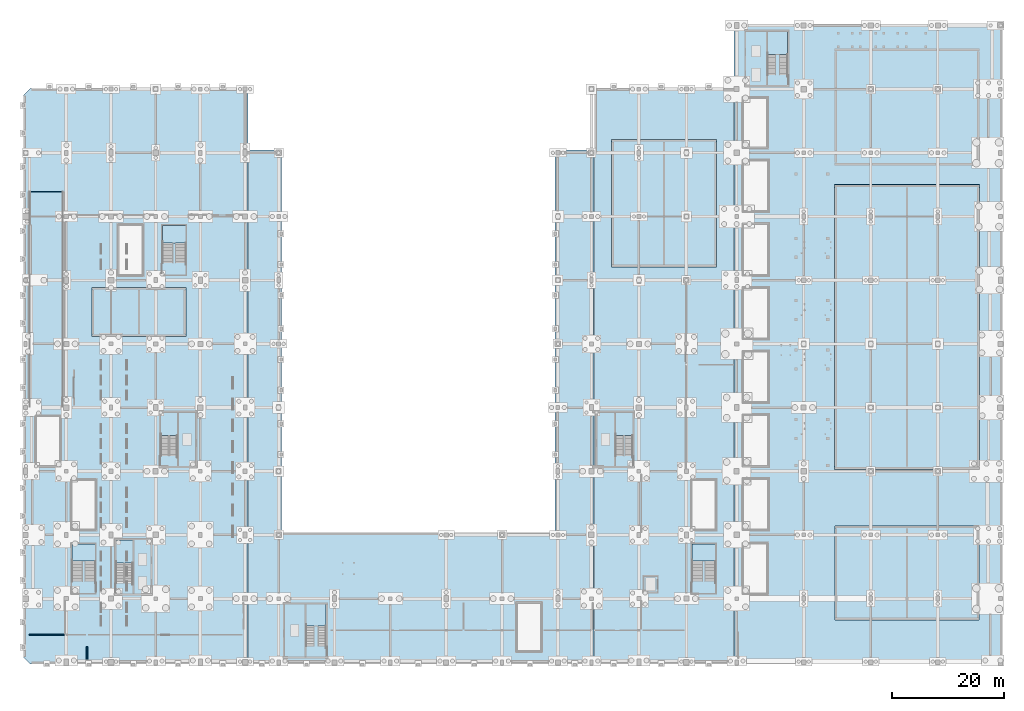
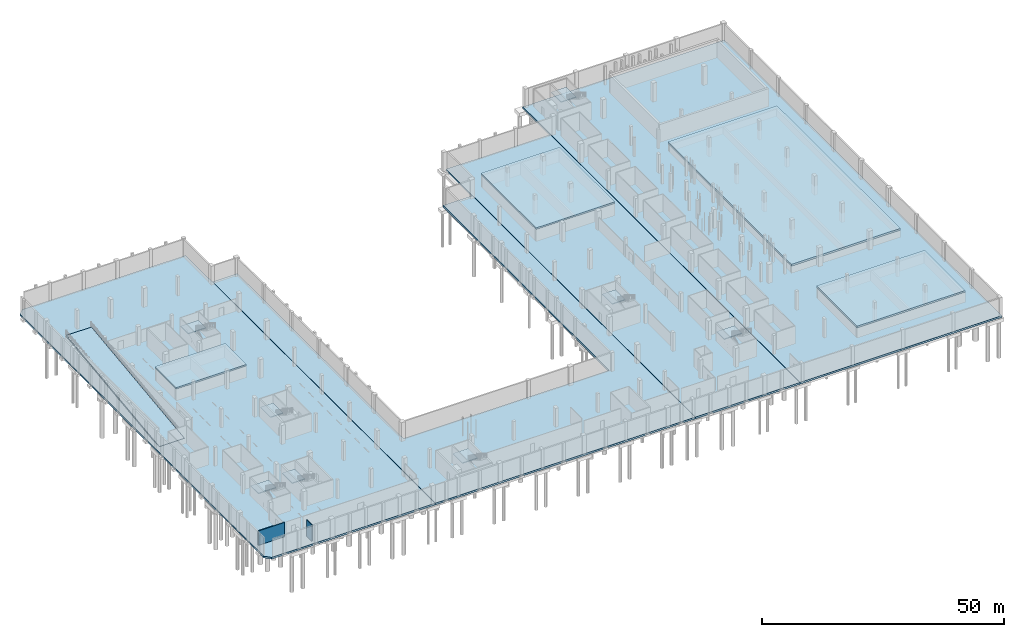
# One storey, part 19 of 34: 17 slabs, 2 walls, 8 elements without a shape of their own.
"""IFC4 building model written with IfcOpenShell, lengths in metres."""

from ifc_helpers import new_model, si_unit, direction, frame, frame_2d, origin, place, context, subcontext, project, spatial, polyline, rectangle, outline, extrude, material, layer, layer_set, type_object, element, aggregate, save


model = new_model("IFC4")

# Units and contexts
model_context = context("Model", 3, precision=1e-05, world=origin(), true_north=direction((0.0, 1.0)))
body_context = subcontext(model_context, "Body", "Model", "MODEL_VIEW")
ifc_project = project(units=[si_unit("LENGTHUNIT", "METRE"), si_unit("AREAUNIT", "SQUARE_METRE"), si_unit("VOLUMEUNIT", "CUBIC_METRE"), si_unit("PLANEANGLEUNIT", "RADIAN"), si_unit("MASSUNIT", "GRAM", prefix="KILO"), si_unit("POWERUNIT", "WATT"), si_unit("THERMODYNAMICTEMPERATUREUNIT", "KELVIN")], contexts=[model_context])

# Site, building, storey
site_placement = place(None, origin())
site = spatial("IfcSite", under=ifc_project, at=site_placement, CompositionType="ELEMENT")
building_placement = place(site_placement, origin())
building = spatial("IfcBuilding", under=site, at=building_placement, Name="Kelmbourne Parkland Aquatics Centre", CompositionType="ELEMENT")
storey_placement = place(building_placement, frame((0.0, 0.0, -4.800048828125)))
storey = spatial("IfcBuildingStorey", under=building, at=storey_placement, Name="B1", CompositionType="ELEMENT", Elevation=-4.800048828125)

# Slabs
ifc_material_1 = material(Name="Waterproof concrete C50/60", Category="concrete")
ifc_layer_1 = layer(ifc_material_1, 0.449951171875)
ifc_layer_set_1 = layer_set([ifc_layer_1], Name="Waterproof concrete C50/60")
slab_type_1 = type_object("IfcSlabType", Name="SL-B1", PredefinedType="BASESLAB", material=ifc_layer_set_1)
slab_1_placement = place(storey_placement, frame((0.0, 0.0, -0.449951171875)))
element("IfcSlab", 1, at=slab_1_placement, inside=storey, type_object=slab_type_1, Name="Basement V5 car park and hydrotherapy raft slab", PredefinedType="BASESLAB", context=body_context, shape_type="SweptSolid", body=[
    extrude(outline(polyline([(40.52001953125, 103.5), (1.550048828125, 103.5), (0.35009765625, 102.300048828125), (0.35009765625, 1.699951171875), (1.550048828125, 0.5), (40.52001953125, 0.5), (40.52001953125, 103.5)])), origin(), (0.0, 0.0, 1.0), 0.449951171875),
])
slab_2_placement = place(storey_placement, frame((0.0, 0.0, -0.449951171875)))
element("IfcSlab", 2, at=slab_2_placement, inside=storey, type_object=slab_type_1, Name="Basement V3 plant spine and colonnade plinth raft slab", PredefinedType="BASESLAB", context=body_context, shape_type="SweptSolid", body=[
    extrude(outline(polyline([(102.47998046875, 0.5), (102.47998046875, 92.5), (95.5, 92.5), (95.5, 24.0), (46.5, 24.0), (46.5, 92.5), (40.580078125, 92.5), (40.580078125, 0.5), (102.47998046875, 0.5)])), origin(), (0.0, 0.0, 1.0), 0.449951171875),
])
slab_3_placement = place(storey_placement, frame((0.0, 0.0, -0.449951171875)))
element("IfcSlab", 3, at=slab_3_placement, inside=storey, type_object=slab_type_1, Name="Basement V4 leisure and chemical plant raft slab", PredefinedType="BASESLAB", context=body_context, shape_type="SweptSolid", body=[
    extrude(outline(polyline([(127.419921875, 0.5), (127.419921875, 103.5), (102.5400390625, 103.5), (102.5400390625, 0.5), (127.419921875, 0.5)])), origin(), (0.0, 0.0, 1.0), 0.449951171875),
])
slab_4_placement = place(storey_placement, frame((0.0, 0.0, -0.449951171875)))
element("IfcSlab", 4, at=slab_4_placement, inside=storey, type_object=slab_type_1, Name="Basement V1 filtration, pool and diving control raft slab", PredefinedType="BASESLAB", context=body_context, shape_type="SweptSolid", body=[
    extrude(outline(polyline([(175.550048828125, 0.5), (175.550048828125, 115.0), (127.47998046875, 115.0), (127.47998046875, 0.5), (175.550048828125, 0.5)])), origin(), (0.0, 0.0, 1.0), 0.449951171875),
])

# Stair, slab
ifc_material_2 = material(Name="Concrete C40/50", Category="concrete")
stair_type_1 = type_object("IfcStairType", Name="ST-T01", PredefinedType="HALF_TURN_STAIR", material=ifc_material_2)
stair_1_placement = place(storey_placement, origin())
stair_1 = element("IfcStair", 5, at=stair_1_placement, inside=storey, type_object=stair_type_1, Name="West Wing South Fire-Fighting Core Stair ST01 (B1)", PredefinedType="HALF_TURN_STAIR")
ifc_layer_2 = layer(ifc_material_2, 0.199951171875)
ifc_layer_set_2 = layer_set([ifc_layer_2], Name="Concrete C40/50")
slab_type_2 = type_object("IfcSlabType", Name="SL-LND-20", PredefinedType="LANDING", material=ifc_layer_set_2)
slab_5_placement = place(storey_placement, frame((0.0, 0.0, 2.199951171875)))
slab_5 = element("IfcSlab", 6, at=slab_5_placement, type_object=slab_type_2, Name="West Wing South Fire-Fighting Core Stair ST01 half-landing (B1)", PredefinedType="LANDING", context=body_context, shape_type="SweptSolid", body=[
    extrude(outline(polyline([(16.8798828125, 18.590087890625), (19.89501953125, 18.590087890625), (19.89501953125, 22.719970703125), (16.8798828125, 22.719970703125), (16.8798828125, 18.590087890625)])), origin(), (0.0, 0.0, 1.0), 0.2001953125),
])
aggregate(stair_1, [slab_5])

stair_type_2 = type_object("IfcStairType", Name="ST-T06", PredefinedType="HALF_TURN_STAIR", material=ifc_material_2)
stair_2_placement = place(storey_placement, origin())
stair_2 = element("IfcStair", 7, at=stair_2_placement, inside=storey, type_object=stair_type_2, Name="West Wing North Passenger Core Stair ST02 (B1)", PredefinedType="HALF_TURN_STAIR")
slab_6_placement = place(storey_placement, frame((0.0, 0.0, 2.199951171875)))
slab_6 = element("IfcSlab", 8, at=slab_6_placement, type_object=slab_type_2, Name="West Wing North Passenger Core Stair ST02 half-landing (B1)", PredefinedType="LANDING", context=body_context, shape_type="SweptSolid", body=[
    extrude(outline(polyline([(24.8798828125, 41.389892578125), (27.89501953125, 41.389892578125), (27.89501953125, 45.52001953125), (24.8798828125, 45.52001953125), (24.8798828125, 41.389892578125)])), origin(), (0.0, 0.0, 1.0), 0.2001953125),
])
aggregate(stair_2, [slab_6])

stair_type_3 = type_object("IfcStairType", Name="ST-T10", PredefinedType="HALF_TURN_STAIR", material=ifc_material_2)
stair_3_placement = place(storey_placement, origin())
stair_3 = element("IfcStair", 9, at=stair_3_placement, inside=storey, type_object=stair_type_3, Name="South Entrance Foyer Gallery Core Stair ST03 (B1)", PredefinedType="HALF_TURN_STAIR")
slab_7_placement = place(storey_placement, frame((0.0, 0.0, 2.199951171875)))
slab_7 = element("IfcSlab", 10, at=slab_7_placement, type_object=slab_type_2, Name="South Entrance Foyer Gallery Core Stair ST03 half-landing (B1)", PredefinedType="LANDING", context=body_context, shape_type="SweptSolid", body=[
    extrude(outline(polyline([(50.905029296875, 7.2900390625), (54.52001953125, 7.2900390625), (54.52001953125, 11.219970703125), (50.905029296875, 11.219970703125), (50.905029296875, 7.2900390625)])), origin(), (0.0, 0.0, 1.0), 0.2001953125),
])
aggregate(stair_3, [slab_7])

stair_type_4 = type_object("IfcStairType", Name="ST-T12", PredefinedType="HALF_TURN_STAIR", material=ifc_material_2)
stair_4_placement = place(storey_placement, origin())
stair_4 = element("IfcStair", 11, at=stair_4_placement, inside=storey, type_object=stair_type_4, Name="East Spine Club and Village Core Stair ST04 (B1)", PredefinedType="HALF_TURN_STAIR")
slab_8_placement = place(storey_placement, frame((0.0, 0.0, 2.199951171875)))
slab_8 = element("IfcSlab", 12, at=slab_8_placement, type_object=slab_type_2, Name="East Spine Club and Village Core Stair ST04 half-landing (B1)", PredefinedType="LANDING", context=body_context, shape_type="SweptSolid", body=[
    extrude(outline(polyline([(106.304931640625, 41.389892578125), (109.419921875, 41.389892578125), (109.419921875, 45.52001953125), (106.304931640625, 45.52001953125), (106.304931640625, 41.389892578125)])), origin(), (0.0, 0.0, 1.0), 0.2001953125),
])
aggregate(stair_4, [slab_8])

stair_type_5 = type_object("IfcStairType", Name="ST-T15", PredefinedType="HALF_TURN_STAIR", material=ifc_material_2)
stair_5_placement = place(storey_placement, origin())
stair_5 = element("IfcStair", 13, at=stair_5_placement, inside=storey, type_object=stair_type_5, Name="North Diving Control Fire-Fighting Core Stair ST05 (B1)", PredefinedType="HALF_TURN_STAIR")
slab_9_placement = place(storey_placement, frame((0.0, 0.0, 2.199951171875)))
slab_9 = element("IfcSlab", 14, at=slab_9_placement, type_object=slab_type_2, Name="North Diving Control Fire-Fighting Core Stair ST05 half-landing (B1)", PredefinedType="LANDING", context=body_context, shape_type="SweptSolid", body=[
    extrude(outline(polyline([(133.5048828125, 109.590087890625), (137.1201171875, 109.590087890625), (137.1201171875, 113.719970703125), (133.5048828125, 113.719970703125), (133.5048828125, 109.590087890625)])), origin(), (0.0, 0.0, 1.0), 0.2001953125),
])
aggregate(stair_5, [slab_9])

stair_type_6 = type_object("IfcStairType", Name="ST-T20", PredefinedType="HALF_TURN_STAIR", material=ifc_material_2)
stair_6_placement = place(storey_placement, origin())
stair_6 = element("IfcStair", 15, at=stair_6_placement, inside=storey, type_object=stair_type_6, Name="West South Perimeter Exit Stair (B1)", PredefinedType="HALF_TURN_STAIR")
slab_10_placement = place(storey_placement, frame((0.0, 0.0, 2.199951171875)))
slab_10 = element("IfcSlab", 16, at=slab_10_placement, type_object=slab_type_2, Name="West South Perimeter Exit Stair half-landing (B1)", PredefinedType="LANDING", context=body_context, shape_type="SweptSolid", body=[
    extrude(outline(polyline([(8.97998046875, 18.889892578125), (13.219970703125, 18.889892578125), (13.219970703125, 22.02001953125), (8.97998046875, 22.02001953125), (8.97998046875, 18.889892578125)])), origin(), (0.0, 0.0, 1.0), 0.2001953125),
])
aggregate(stair_6, [slab_10])

stair_type_7 = type_object("IfcStairType", Name="ST-T30", PredefinedType="HALF_TURN_STAIR", material=ifc_material_2)
stair_7_placement = place(storey_placement, origin())
stair_7 = element("IfcStair", 17, at=stair_7_placement, inside=storey, type_object=stair_type_7, Name="South East Concourse Exit Stair (B1)", PredefinedType="HALF_TURN_STAIR")
slab_11_placement = place(storey_placement, frame((0.0, 0.0, 2.199951171875)))
slab_11 = element("IfcSlab", 18, at=slab_11_placement, type_object=slab_type_2, Name="South East Concourse Exit Stair half-landing (B1)", PredefinedType="LANDING", context=body_context, shape_type="SweptSolid", body=[
    extrude(outline(polyline([(119.97998046875, 18.889892578125), (124.219970703125, 18.889892578125), (124.219970703125, 22.02001953125), (119.97998046875, 22.02001953125), (119.97998046875, 18.889892578125)])), origin(), (0.0, 0.0, 1.0), 0.2001953125),
])
aggregate(stair_7, [slab_11])

stair_type_8 = type_object("IfcStairType", Name="ST-T35", PredefinedType="HALF_TURN_STAIR", material=ifc_material_2)
stair_8_placement = place(storey_placement, origin())
stair_8 = element("IfcStair", 19, at=stair_8_placement, inside=storey, type_object=stair_type_8, Name="West North Prow Exit Stair (B1)", PredefinedType="HALF_TURN_STAIR")
slab_12_placement = place(storey_placement, frame((0.0, 0.0, 2.199951171875)))
slab_12 = element("IfcSlab", 20, at=slab_12_placement, type_object=slab_type_2, Name="West North Prow Exit Stair half-landing (B1)", PredefinedType="LANDING", context=body_context, shape_type="SweptSolid", body=[
    extrude(outline(polyline([(25.179931640625, 75.889892578125), (29.419921875, 75.889892578125), (29.419921875, 79.02001953125), (25.179931640625, 79.02001953125), (25.179931640625, 75.889892578125)])), origin(), (0.0, 0.0, 1.0), 0.2001953125),
])
aggregate(stair_8, [slab_12])

# Slabs
ifc_layer_3 = layer(ifc_material_1, 0.5)
ifc_layer_set_3 = layer_set([ifc_layer_3], Name="Waterproof concrete C50/60")
slab_type_3 = type_object("IfcSlabType", Name="SL-TK1", PredefinedType="FLOOR", material=ifc_layer_set_3)
slab_13_placement = place(storey_placement, frame((0.0, 0.0, 1.800048828125)))
element("IfcSlab", 21, at=slab_13_placement, inside=storey, type_object=slab_type_3, Name="50m Competition Pool Tank waterproof tank base slab", PredefinedType="FLOOR", context=body_context, shape_type="SweptSolid", body=[
    extrude(outline(polyline([(171.5, 35.300048828125), (171.5, 86.300048828125), (145.5, 86.300048828125), (145.5, 35.300048828125), (171.5, 35.300048828125)])), origin(), (0.0, 0.0, 1.0), 0.5),
])
ifc_layer_4 = layer(ifc_material_1, 0.419921875)
ifc_layer_set_4 = layer_set([ifc_layer_4], Name="Waterproof concrete C50/60")
slab_type_4 = type_object("IfcSlabType", Name="SL-TK2", PredefinedType="FLOOR", material=ifc_layer_set_4)
slab_14_placement = place(storey_placement, frame((0.0, 0.0, 2.550048828125)))
element("IfcSlab", 22, at=slab_14_placement, inside=storey, type_object=slab_type_4, Name="25m Warm-Up and Training Pool Tank waterproof tank base slab", PredefinedType="FLOOR", context=body_context, shape_type="SweptSolid", body=[
    extrude(outline(polyline([(171.39990234375, 8.39990234375), (171.39990234375, 25.199951171875), (145.60009765625, 25.199951171875), (145.60009765625, 8.39990234375), (171.39990234375, 8.39990234375)])), origin(), (0.0, 0.0, 1.0), 0.449951171875),
])
slab_15_placement = place(storey_placement, frame((0.0, 0.0, 3.050048828125)))
element("IfcSlab", 23, at=slab_15_placement, inside=storey, type_object=slab_type_4, Name="Family Leisure and Learn-to-Swim Pool Tank waterproof tank base slab", PredefinedType="FLOOR", context=body_context, shape_type="SweptSolid", body=[
    extrude(outline(polyline([(124.39990234375, 71.60009765625), (124.39990234375, 94.39990234375), (105.60009765625, 94.39990234375), (105.60009765625, 71.60009765625), (124.39990234375, 71.60009765625)])), origin(), (0.0, 0.0, 1.0), 0.39990234375),
])
slab_16_placement = place(storey_placement, frame((0.0, 0.0, 2.949951171875)))
element("IfcSlab", 24, at=slab_16_placement, inside=storey, type_object=slab_type_4, Name="Clinical Hydrotherapy and Warm Recovery Pool Tank waterproof tank base slab", PredefinedType="FLOOR", context=body_context, shape_type="SweptSolid", body=[
    extrude(outline(polyline([(29.39990234375, 59.10009765625), (29.39990234375, 67.89990234375), (12.60009765625, 67.89990234375), (12.60009765625, 59.10009765625), (29.39990234375, 59.10009765625)])), origin(), (0.0, 0.0, 1.0), 0.400146484375),
])
ifc_layer_5 = layer(ifc_material_1, 0.320068359375)
ifc_layer_set_5 = layer_set([ifc_layer_5], Name="Waterproof concrete C50/60")
slab_type_5 = type_object("IfcSlabType", Name="SL-VR1", PredefinedType="FLOOR", material=ifc_layer_set_5)
slab_17_placement = place(storey_placement, frame((1.39990234375, 46.60009765625, 0.0), z_axis=(0.0, -0.122762586137, 0.992436067183), x_axis=(1.0, 0.0, 0.0)))
element("IfcSlab", 25, at=slab_17_placement, inside=storey, type_object=slab_type_5, Name="Basement B1 structural concrete vehicle ramp slab VR01", PredefinedType="FLOOR", context=body_context, shape_type="SweptSolid", body=[
    extrude(outline(polyline([(0.0, 0.0), (6.0, 0.0), (6.0, 38.69257034637964), (0.0, 38.69257034637964), (0.0, 0.0)])), origin(), (0.0, 0.0, -1.0), 0.320068359375),
])

# Walls
ifc_material_3 = material(Name="Concrete blockwork C32/40", Category="masonry")
ifc_layer_6 = layer(ifc_material_3, 0.18994140625)
ifc_layer_set_6 = layer_set([ifc_layer_6], Name="Concrete blockwork C32/40")
wall_type = type_object("IfcWallType", Name="W-SOLID-190", PredefinedType="SOLIDWALL", material=ifc_layer_set_6)
wall_1_placement = place(storey_placement, frame((1.35009765625, 5.699951171875, 0.0), z_axis=(0.0, 0.0, 1.0), x_axis=(1.0, 0.0, 0.0)))
element("IfcWall", 26, at=wall_1_placement, inside=storey, type_object=wall_type, Name="Interior partition PT-B1-009", PredefinedType="SOLIDWALL", context=body_context, shape_type="SweptSolid", body=[
    extrude(rectangle(XDim=6.239990234375, YDim=0.18994140625, at=frame_2d((3.1201171875, 0.0))), origin(), (0.0, 0.0, 1.0), 3.60498046875),
])
wall_2_placement = place(storey_placement, frame((11.699951171875, 1.35009765625, 0.0), z_axis=(0.0, 0.0, 1.0), x_axis=(0.0, 1.0, 0.0)))
element("IfcWall", 27, at=wall_2_placement, inside=storey, type_object=wall_type, Name="Interior partition PT-B1-010", PredefinedType="SOLIDWALL", context=body_context, shape_type="SweptSolid", body=[
    extrude(rectangle(XDim=2.25, YDim=0.18994140625, at=frame_2d((1.125, 0.0))), origin(), (0.0, 0.0, 1.0), 4.09912109375),
])

save(model, "model.ifc")
